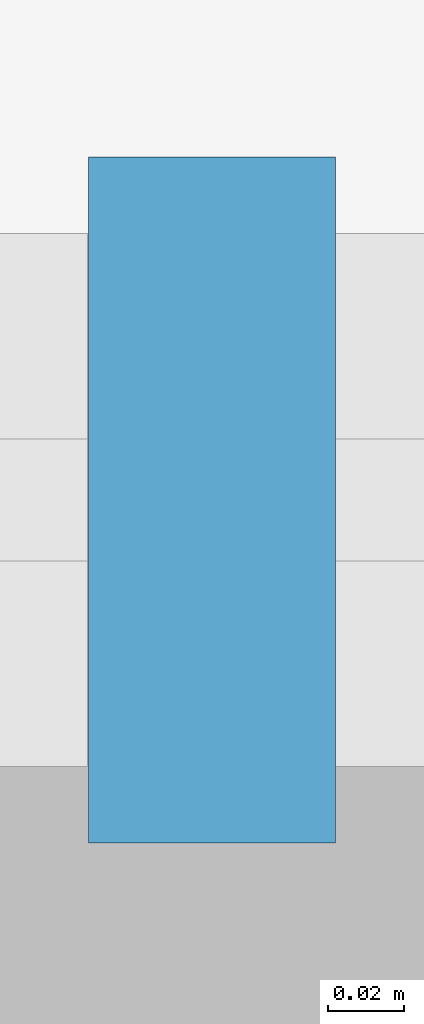
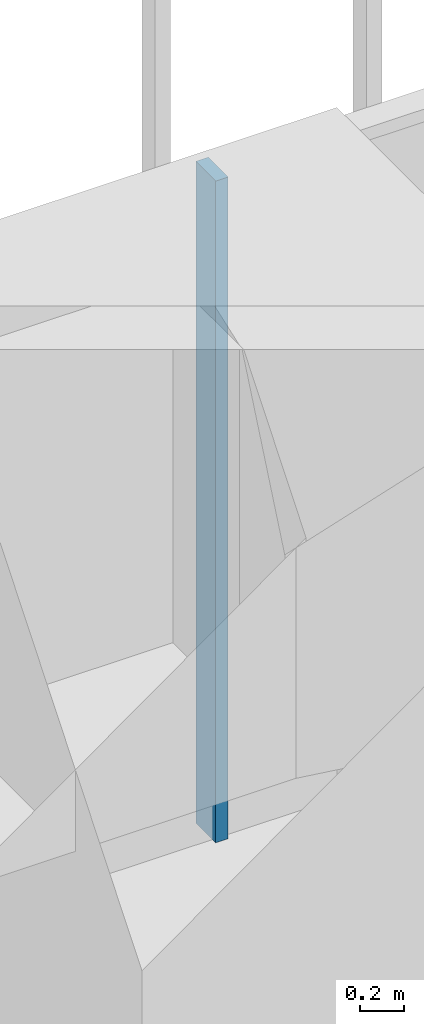
# One storey, part 214 of 238: 1 member, 1 element without a shape of its own.
"""IFC4 building model written with IfcOpenShell, lengths in metres."""

from ifc_helpers import new_model, si_unit, direction, frame, origin, origin_2d, place, context, subcontext, project, spatial, rectangle, extrude, material, material_profile, profile_set, type_object, element, aggregate, save


model = new_model("IFC4")

# Units and contexts
model_context = context("Model", 3, precision=1e-05, world=origin(), true_north=direction((0.0, 1.0)))
body_context = subcontext(model_context, "Body", "Model", "MODEL_VIEW")
ifc_project = project(units=[si_unit("LENGTHUNIT", "METRE"), si_unit("AREAUNIT", "SQUARE_METRE"), si_unit("VOLUMEUNIT", "CUBIC_METRE"), si_unit("PLANEANGLEUNIT", "RADIAN"), si_unit("MASSUNIT", "GRAM", prefix="KILO")], contexts=[model_context])

# Site, building, storey
site_placement = place(None, origin())
site = spatial("IfcSite", under=ifc_project, at=site_placement, CompositionType="ELEMENT")
building_placement = place(site_placement, origin())
building = spatial("IfcBuilding", under=site, at=building_placement, Name="Sandreach Pilgrim Tower", CompositionType="ELEMENT")
storey_placement = place(building_placement, frame((0.0, 0.0, 96.800048828125)))
storey = spatial("IfcBuildingStorey", under=building, at=storey_placement, Name="L23", CompositionType="ELEMENT", Elevation=96.800048828125)

# Curtain wall, member
ifc_material_1 = material(Name="Aluminium framed curtain wall", Category="aluminium")
curtain_wall_type = type_object("IfcCurtainWallType", Name="Hotel tower curtain wall", PredefinedType="NOTDEFINED", material=ifc_material_1)
curtain_wall_placement = place(storey_placement, origin())
curtain_wall = element("IfcCurtainWall", 1, at=curtain_wall_placement, inside=storey, type_object=curtain_wall_type, Name="CW-2 L23 N", PredefinedType="NOTDEFINED")
ifc_material_2 = material(Name="Aluminium extrusion", Category="aluminium")
ifc_material_profile = material_profile(ifc_material_2, rectangle(XDim=0.06494140625, YDim=0.179931640625, at=origin_2d()), Name="CW-2M 65X180")
ifc_profile_set = profile_set([ifc_material_profile], Name="Aluminium extrusion")
member_type = type_object("IfcMemberType", Name="CW-2 mullion", PredefinedType="MULLION", material=ifc_profile_set)
member_placement = place(storey_placement, frame((14.37451171875, 22.493896484375, 0.0), z_axis=(0.0, 0.0, 1.0), x_axis=(1.0, 0.0, 0.0)))
member = element("IfcMember", 2, at=member_placement, type_object=member_type, Name="CW-2 mullion 9", PredefinedType="MULLION", context=body_context, shape_type="SweptSolid", body=[
    extrude(rectangle(XDim=0.06494140625, YDim=0.179931640625, at=origin_2d()), origin(), (0.0, 0.0, 1.0), 3.639892578125),
])
aggregate(curtain_wall, [member])

save(model, "model.ifc")
